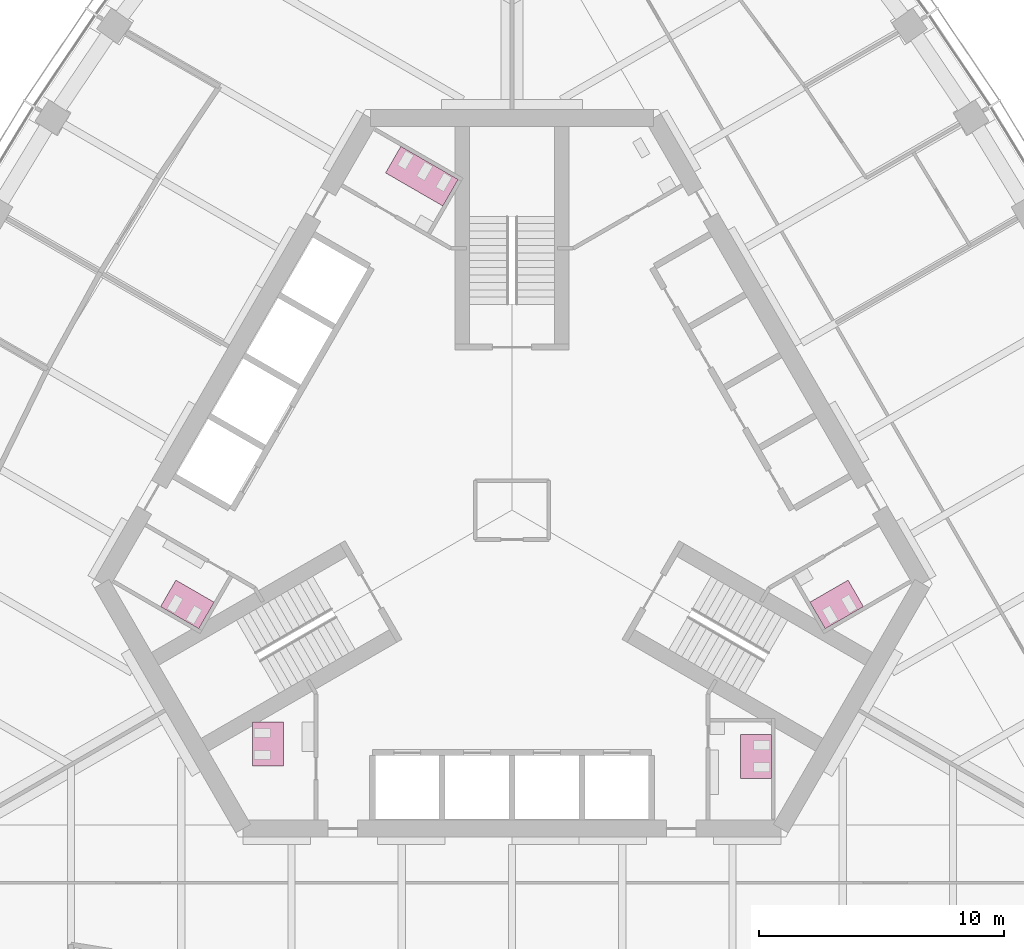
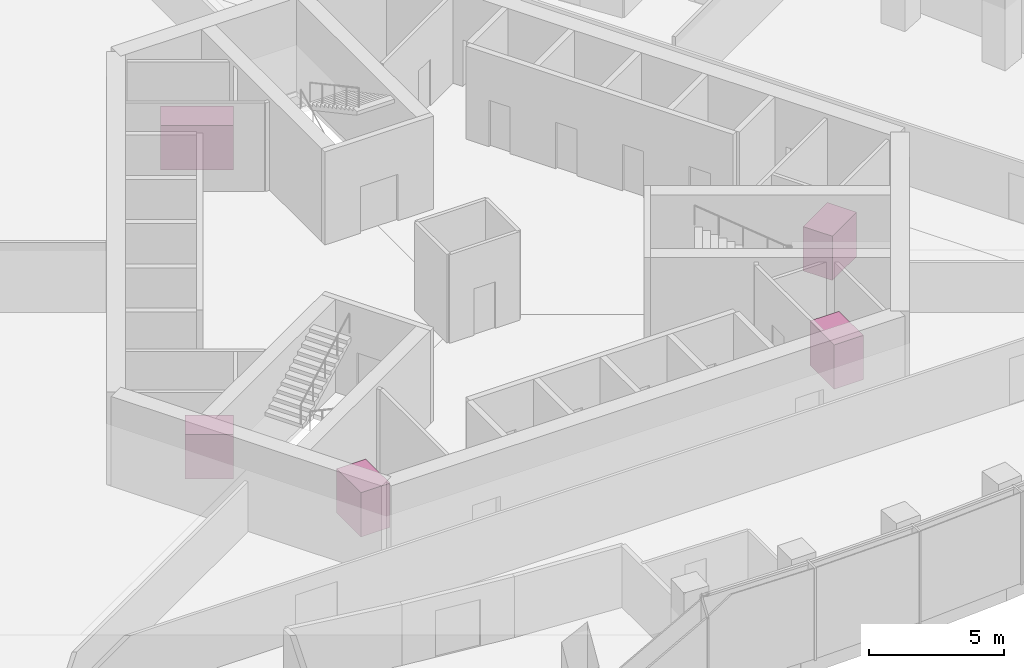
# One storey, part 19 of 19: 5 furniture elements.
"""IFC4 building model written with IfcOpenShell, lengths in metres."""

from ifc_helpers import new_model, si_unit, direction, frame, origin, place, context, subcontext, project, spatial, polyline, outline, extrude, material, type_object, element, save


model = new_model("IFC4")

# Units and contexts
model_context = context("Model", 3, precision=1e-05, world=origin(), true_north=direction((0.0, 1.0)))
body_context = subcontext(model_context, "Body", "Model", "MODEL_VIEW")
ifc_project = project(units=[si_unit("LENGTHUNIT", "METRE"), si_unit("AREAUNIT", "SQUARE_METRE"), si_unit("VOLUMEUNIT", "CUBIC_METRE"), si_unit("PLANEANGLEUNIT", "RADIAN"), si_unit("MASSUNIT", "GRAM", prefix="KILO")], contexts=[model_context])

# Site, building, storey
site_placement = place(None, origin())
site = spatial("IfcSite", under=ifc_project, at=site_placement, CompositionType="ELEMENT")
building_placement = place(site_placement, origin())
building = spatial("IfcBuilding", under=site, at=building_placement, Name="Trefoil Bronze Tower", CompositionType="ELEMENT")
storey_placement = place(building_placement, frame((0.0, 0.0, 227.5)))
storey = spatial("IfcBuildingStorey", under=building, at=storey_placement, Name="L52", CompositionType="ELEMENT", Elevation=227.5)

# Furniture
ifc_material_1 = material(Name="Compact laminate cubicles", Category="plastic")
furniture_type_1 = type_object("IfcFurnitureType", Name="WC cubicle range 2 cubicles", AssemblyPlace="FACTORY", PredefinedType="USERDEFINED", material=ifc_material_1)
furniture_1_placement = place(storey_placement, origin())
element("IfcFurniture", 1, at=furniture_1_placement, inside=storey, type_object=furniture_type_1, Name="WC cubicle range WC (men) L52", ObjectType="WC cubicle range", PredefinedType="USERDEFINED", context=body_context, shape_type="SweptSolid", body=[
    extrude(outline(polyline([(9.3349609375, -9.14990234375), (10.5849609375, -9.14990234375), (10.5849609375, -10.949951171875), (9.3349609375, -10.949951171875), (9.3349609375, -9.14990234375)])), origin(), (0.0, 0.0, 1.0), 2.0),
])
furniture_2_placement = place(storey_placement, origin())
element("IfcFurniture", 2, at=furniture_2_placement, inside=storey, type_object=furniture_type_1, Name="WC cubicle range WC (women) L52", ObjectType="WC cubicle range", PredefinedType="USERDEFINED", context=body_context, shape_type="SweptSolid", body=[
    extrude(outline(polyline([(12.15869140625, -3.75927734375), (12.78369140625, -4.841796875), (14.342529296875, -3.94189453125), (13.717529296875, -2.859375), (12.15869140625, -3.75927734375)])), origin(), (0.0, 0.0, 1.0), 2.0),
])
furniture_3_placement = place(storey_placement, origin())
element("IfcFurniture", 3, at=furniture_3_placement, inside=storey, type_object=furniture_type_1, Name="WC cubicle range WC (men) L52", ObjectType="WC cubicle range", PredefinedType="USERDEFINED", context=body_context, shape_type="SweptSolid", body=[
    extrude(outline(polyline([(-12.15869140625, -3.75927734375), (-12.78369140625, -4.841796875), (-14.342529296875, -3.94189453125), (-13.717529296875, -2.859375), (-12.15869140625, -3.75927734375)])), origin(), (0.0, 0.0, 1.0), 2.0),
])
furniture_4_placement = place(storey_placement, origin())
element("IfcFurniture", 4, at=furniture_4_placement, inside=storey, type_object=furniture_type_1, Name="WC cubicle range WC (women) L52", ObjectType="WC cubicle range", PredefinedType="USERDEFINED", context=body_context, shape_type="SweptSolid", body=[
    extrude(outline(polyline([(-9.3349609375, -8.64990234375), (-10.5849609375, -8.64990234375), (-10.5849609375, -10.449951171875), (-9.3349609375, -10.449951171875), (-9.3349609375, -8.64990234375)])), origin(), (0.0, 0.0, 1.0), 2.0),
])
ifc_material_2 = material(Name="Compact laminate cubicles", Category="plastic")
furniture_type_2 = type_object("IfcFurnitureType", Name="WC cubicle range 3 cubicles", AssemblyPlace="FACTORY", PredefinedType="USERDEFINED", material=ifc_material_2)
furniture_5_placement = place(storey_placement, origin())
element("IfcFurniture", 5, at=furniture_5_placement, inside=storey, type_object=furniture_type_2, Name="WC cubicle range WC (women) L52", ObjectType="WC cubicle range", PredefinedType="USERDEFINED", context=body_context, shape_type="SweptSolid", body=[
    extrude(outline(polyline([(-2.82373046875, 12.409423828125), (-2.19873046875, 13.491943359375), (-4.536865234375, 14.841796875), (-5.161865234375, 13.75927734375), (-2.82373046875, 12.409423828125)])), origin(), (0.0, 0.0, 1.0), 2.0),
])

save(model, "model.ifc")
